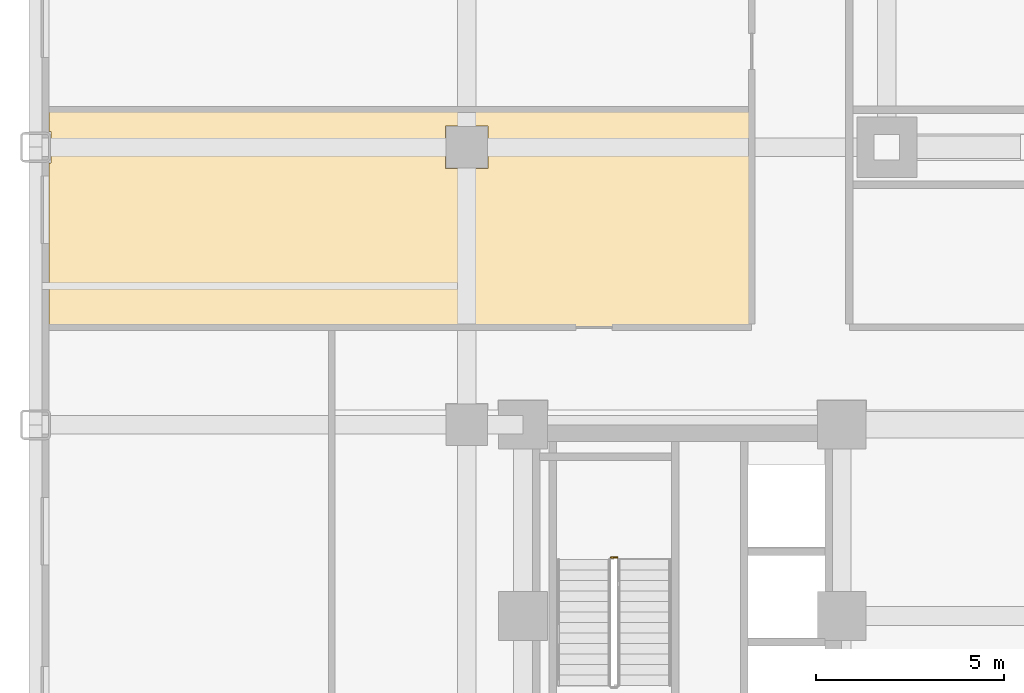
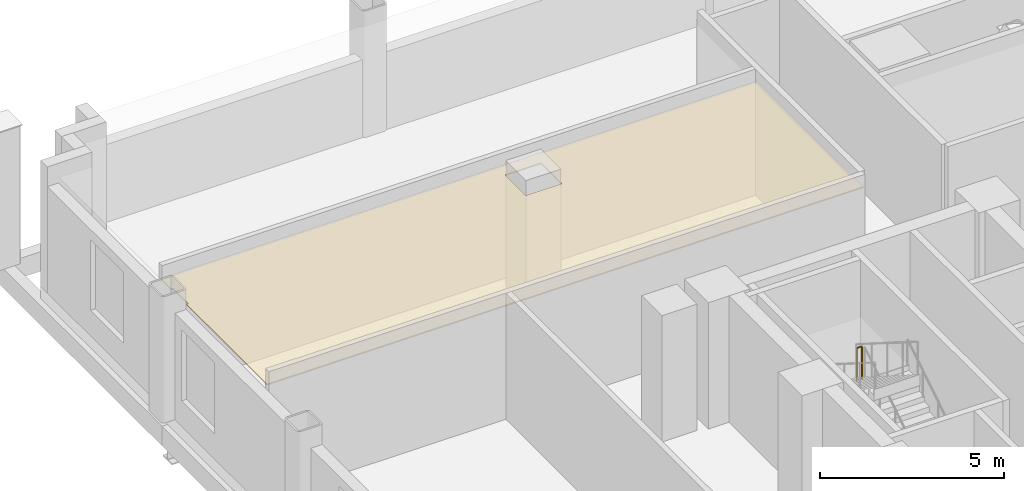
# One storey, part 15 of 17: 1 covering, 1 railing.
"""IFC4 building model written with IfcOpenShell, lengths in metres."""

from ifc_helpers import new_model, si_unit, direction, frame, origin, origin_2d, place, context, subcontext, project, spatial, polyline, circle, outline, extrude, material, layer, layer_set, type_object, element, save


model = new_model("IFC4")

# Units and contexts
model_context = context("Model", 3, precision=1e-05, world=origin(), true_north=direction((0.0, 1.0)))
body_context = subcontext(model_context, "Body", "Model", "MODEL_VIEW")
ifc_project = project(units=[si_unit("LENGTHUNIT", "METRE"), si_unit("AREAUNIT", "SQUARE_METRE"), si_unit("VOLUMEUNIT", "CUBIC_METRE"), si_unit("PLANEANGLEUNIT", "RADIAN"), si_unit("MASSUNIT", "GRAM", prefix="KILO")], contexts=[model_context])

# Site, building, storey
site_placement = place(None, origin())
site = spatial("IfcSite", under=ifc_project, at=site_placement, CompositionType="ELEMENT")
building_placement = place(site_placement, origin())
building = spatial("IfcBuilding", under=site, at=building_placement, Name="Nuvemarco Arch Tower", CompositionType="ELEMENT")
storey_placement = place(building_placement, frame((0.0, 0.0, 18.39990234375)))
storey = spatial("IfcBuildingStorey", under=building, at=storey_placement, Name="L04", CompositionType="ELEMENT", Elevation=18.39990234375)

# Covering
ifc_material_1 = material(Name="Mineral acoustic ceiling tile")
ifc_layer = layer(ifc_material_1, 0.0400390625, Name="COV-ACOUSTIC-CLG")
ifc_layer_set = layer_set([ifc_layer], Name="Mineral acoustic ceiling tile")
covering_type = type_object("IfcCoveringType", Name="COV-ACOUSTIC-CLG", PredefinedType="CEILING", material=ifc_layer_set)
covering_placement = place(storey_placement, frame((0.0, 0.0, 3.68017578125)))
element("IfcCovering", 1, at=covering_placement, inside=storey, type_object=covering_type, Name="L04 suspended acoustic ceiling 6", PredefinedType="CEILING", context=body_context, shape_type="SweptSolid", body=[
    extrude(outline(polyline([(-30.139892578125, 16.5849609375), (-30.0849609375, 16.5849609375), (-30.0849609375, 17.4150390625), (-30.139892578125, 17.4150390625), (-30.139892578125, 18.0), (-11.39990234375, 18.0), (-11.39990234375, 12.199951171875), (-19.800048828125, 12.199951171875), (-22.60009765625, 12.199951171875), (-30.139892578125, 12.199951171875), (-30.139892578125, 16.5849609375)]), holes=[polyline([(-18.43505859375, 16.43505859375), (-18.43505859375, 17.56494140625), (-19.56494140625, 17.56494140625), (-19.56494140625, 16.43505859375), (-18.43505859375, 16.43505859375)])]), origin(), (0.0, 0.0, 1.0), 0.0400390625),
])

# Railing
ifc_material_2 = material(Name="Painted balustrade steel S355", Category="steel")
railing_type = type_object("IfcRailingType", Name="RL-STAIR-GUARD", PredefinedType="GUARDRAIL", material=ifc_material_2)
railing_placement = place(storey_placement, frame((-14.989990234375, 6.06005859375, 2.300048828125)))
element("IfcRailing", 2, at=railing_placement, inside=storey, type_object=railing_type, Name="L04 ST-1 stair guard 2", PredefinedType="GUARDRAIL", context=body_context, shape_type="SweptSolid", body=[
    extrude(circle(Radius=0.02392578125, at=origin_2d()), frame((0.0, 0.0, 1.09619140625), z_axis=(-1.0, 0.0, 0.0), x_axis=(0.0, -1.0, 0.0)), (0.0, 0.0, 1.0), 0.159912109375),
    extrude(circle(Radius=0.02099609375, at=origin_2d()), origin(), (0.0, 0.0, 1.0), 1.072021484375),
    extrude(circle(Radius=0.02099609375, at=origin_2d()), frame((-0.159912109375, 0.0, 0.0)), (0.0, 0.0, 1.0), 1.072021484375),
])

save(model, "model.ifc")
